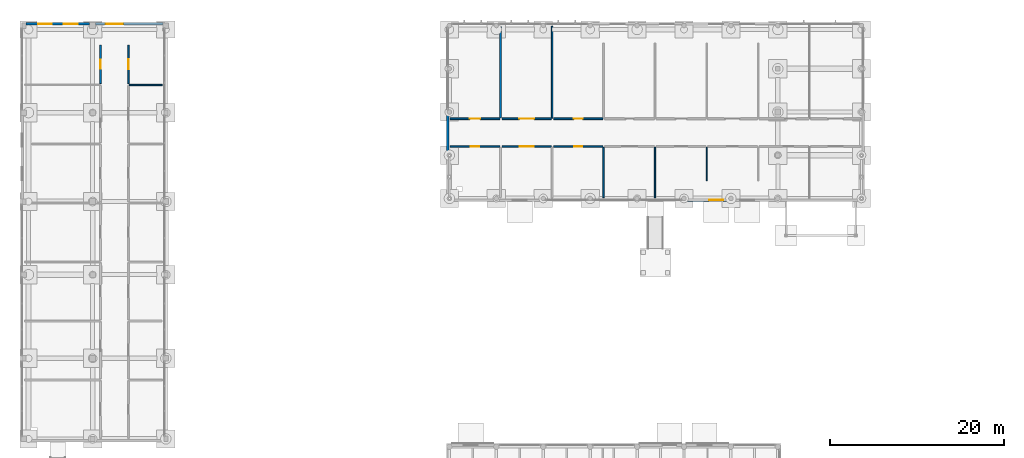
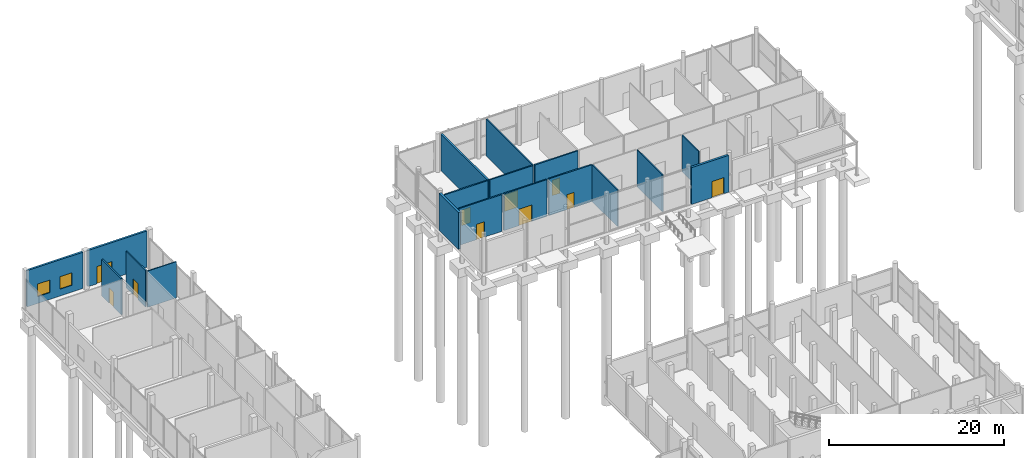
# One storey, part 64 of 88: 18 walls, 10 doors, 2 windows, 12 openings.
"""IFC4 building model written with IfcOpenShell, lengths in metres."""

import ifcopenshell
import ifcopenshell.guid

model = None  # the IFC model being written
_history = None  # IfcOwnerHistory: only IFC2X3 demands one
_inside = {}  # id of a spatial element -> (the spatial element, [elements in it])
_under = {}  # id of a project, library or spatial element -> (it, [spatial elements below it])
_declared = {}  # id of a project -> (the project, [libraries it declares])
_typed = {}  # id of a type object -> (the type object, [elements of that type])
_made_of = {}  # id of a material, layer set ... -> (it, [elements and type objects made of it])


def new_model(schema):
    """Start an empty IFC model of exactly this schema.

    Asked for "IFC4X3", IfcOpenShell would pick the latest addendum, in which some entities
    have other attributes; the version numbers below select the first issue.
    IFC2X3 requires an IfcOwnerHistory on every rooted entity: one is made here for all.
    """
    global model, _history
    if schema == "IFC4X3":
        model = ifcopenshell.file(schema_version=(4, 3, 0, 0))
    else:
        model = ifcopenshell.file(schema=schema)
    _inside.clear()
    _under.clear()
    _declared.clear()
    _typed.clear()
    _made_of.clear()
    _history = None
    if model.schema == "IFC2X3":
        org = make("IfcOrganization", Name="unknown")
        user = make(
            "IfcPersonAndOrganization",
            ThePerson=make("IfcPerson", FamilyName="unknown"),
            TheOrganization=org,
        )
        app = make(
            "IfcApplication",
            ApplicationDeveloper=org,
            Version="unknown",
            ApplicationFullName="unknown",
            ApplicationIdentifier="unknown",
        )
        _history = make(
            "IfcOwnerHistory",
            OwningUser=user,
            OwningApplication=app,
            ChangeAction="ADDED",
            CreationDate=0,
        )
    return model


def make(cls, **values):
    """One entity of the class cls with the attributes given. An attribute that is None is left unset."""
    return model.create_entity(
        cls, **{name: value for name, value in values.items() if value is not None}
    )


def rooted(cls, **values):
    """An entity with a GlobalId (a new one), such as an element, a storey or a relation."""
    return make(cls, GlobalId=ifcopenshell.guid.new(), OwnerHistory=_history, **values)


def si_unit(unit_type, name, prefix=None):
    """IfcSIUnit, for example si_unit("LENGTHUNIT", "METRE", prefix="MILLI")."""
    return make("IfcSIUnit", UnitType=unit_type, Prefix=prefix, Name=name)


def assignment(units):
    """IfcUnitAssignment: the units of a project."""
    return None if units is None else make("IfcUnitAssignment", Units=units)


def point(xyz):
    """IfcCartesianPoint."""
    return None if xyz is None else make("IfcCartesianPoint", Coordinates=xyz)


def direction(xyz):
    """IfcDirection."""
    return None if xyz is None else make("IfcDirection", DirectionRatios=xyz)


def frame(location, z_axis=None, x_axis=None):
    """IfcAxis2Placement3D, a coordinate frame: its origin and axes. An axis left out is left unset."""
    return make(
        "IfcAxis2Placement3D",
        Location=point(location),
        Axis=direction(z_axis),
        RefDirection=direction(x_axis),
    )


def frame_2d(location, x_axis=None):
    """IfcAxis2Placement2D, a coordinate frame in the plane: its origin and x axis."""
    return make(
        "IfcAxis2Placement2D", Location=point(location), RefDirection=direction(x_axis)
    )


def origin():
    """The frame at (0, 0, 0) with its axes left unset."""
    return frame((0.0, 0.0, 0.0))


def place(relative_to, where):
    """IfcLocalPlacement: puts the frame where relative to a parent placement (None: the world)."""
    return make(
        "IfcLocalPlacement", PlacementRelTo=relative_to, RelativePlacement=where
    )


def context(
    kind, dimensions, precision=None, world=None, true_north=None, identifier=None
):
    """IfcGeometricRepresentationContext, for example the 3D "Model" context."""
    return make(
        "IfcGeometricRepresentationContext",
        ContextIdentifier=identifier,
        ContextType=kind,
        CoordinateSpaceDimension=dimensions,
        Precision=precision,
        WorldCoordinateSystem=world,
        TrueNorth=true_north,
    )


def subcontext(parent, identifier, kind, view, scale=None):
    """IfcGeometricRepresentationSubContext, for example "Body" below "Model"."""
    return make(
        "IfcGeometricRepresentationSubContext",
        ContextIdentifier=identifier,
        ContextType=kind,
        ParentContext=parent,
        TargetScale=scale,
        TargetView=view,
    )


def project(units=None, contexts=None):
    """IfcProject with its units and contexts."""
    return rooted(
        "IfcProject",
        Name="project",
        RepresentationContexts=contexts,
        UnitsInContext=assignment(units),
    )


def spatial(cls, under=None, at=None, **own):
    """A site, building, storey or space (cls), placed at a placement, below another one or the project."""
    s = rooted(cls, ObjectPlacement=at, **own)
    if under is not None:
        _under.setdefault(under.id(), (under, []))[1].append(s)
    return s


def profile(cls, at=None, kind="AREA", **sizes):
    """A parametric profile (cls). Its sizes go by their IFC names, for example OverallWidth=200.0."""
    return make(cls, ProfileType=kind, Position=at, **sizes)


def rectangle(**sizes):
    """IfcRectangleProfileDef."""
    return profile("IfcRectangleProfileDef", **sizes)


def extrude(swept, where, along, depth):
    """IfcExtrudedAreaSolid: the profile swept, set in the frame where, extruded along a direction by depth."""
    return make(
        "IfcExtrudedAreaSolid",
        SweptArea=swept,
        Position=where,
        ExtrudedDirection=direction(along),
        Depth=depth,
    )


def shape(context_of_items, identifier, shape_type, items):
    """IfcShapeRepresentation: the items that make up one representation, for example the "Body"."""
    return make(
        "IfcShapeRepresentation",
        ContextOfItems=context_of_items,
        RepresentationIdentifier=identifier,
        RepresentationType=shape_type,
        Items=items,
    )


def material(Name=None, Category=None):
    """IfcMaterial."""
    return make("IfcMaterial", Name=Name, Category=Category)


def layer(
    of_material, thickness, ventilated=None, Name=None, Category=None, Priority=None
):
    """IfcMaterialLayer: one layer of a wall or slab, of a material (None: an air gap)."""
    return make(
        "IfcMaterialLayer",
        Material=of_material,
        LayerThickness=thickness,
        IsVentilated=ventilated,
        Name=Name,
        Category=Category,
        Priority=Priority,
    )


def layer_set(layers, Name=None):
    """IfcMaterialLayerSet."""
    return make("IfcMaterialLayerSet", MaterialLayers=layers, LayerSetName=Name)


def made_of(thing, what):
    """Note that an element or type object is made of a material, layer set ...; save() writes the relation."""
    if what is not None:
        _made_of.setdefault(what.id(), (what, []))[1].append(thing)
    return thing


def type_object(cls, material=None, **own):
    """A type object (cls), such as IfcWallType, which elements share."""
    return made_of(rooted(cls, **own), material)


def element(
    cls,
    number,
    at=None,
    inside=None,
    cuts=None,
    type_object=None,
    material=None,
    context=None,
    identifier="Body",
    shape_type=None,
    held_by="IfcProductDefinitionShape",
    body=None,
    shapes=None,
    **own,
):
    """One element of the class cls, such as IfcWall. Its Tag is "e" and its number.

    at: its placement. inside: the storey or other place that contains it. cuts: it is an
    opening in that element (IfcRelVoidsElement). A single representation is given by context,
    identifier, shape_type and body (its items); several are given by shapes. held_by: the class
    of the entity that holds the representations. save() writes the other relations.
    """
    e = rooted(cls, Tag="e%d" % number, ObjectPlacement=at, **own)
    if body is not None:
        shapes = [shape(context, identifier, shape_type, body)]
    if shapes is not None:
        e.Representation = make(held_by, Representations=shapes)
    if inside is not None:
        _inside.setdefault(inside.id(), (inside, []))[1].append(e)
    if cuts is not None:
        rooted(
            "IfcRelVoidsElement", RelatingBuildingElement=cuts, RelatedOpeningElement=e
        )
    if type_object is not None:
        _typed.setdefault(type_object.id(), (type_object, []))[1].append(e)
    return made_of(e, material)


def fill(opening, filler):
    """IfcRelFillsElement: the door or window that sits in an opening."""
    return rooted(
        "IfcRelFillsElement",
        RelatingOpeningElement=opening,
        RelatedBuildingElement=filler,
    )


def aggregate(whole, parts):
    """IfcRelAggregates: a whole, such as a stair, and the parts it consists of."""
    return rooted("IfcRelAggregates", RelatingObject=whole, RelatedObjects=parts)


def save(model, path):
    """Write the relations noted so far, then the file.

    IfcRelAggregates (storeys below a building ...), IfcRelContainedInSpatialStructure (elements
    in a storey), IfcRelDefinesByType, IfcRelAssociatesMaterial and IfcRelDeclares: one each for
    every whole, place, type object, material and project.
    """
    for whole, parts in _under.values():
        aggregate(whole, parts)
    for where, things in _inside.values():
        rooted(
            "IfcRelContainedInSpatialStructure",
            RelatedElements=things,
            RelatingStructure=where,
        )
    for kind, things in _typed.values():
        rooted("IfcRelDefinesByType", RelatedObjects=things, RelatingType=kind)
    for what, things in _made_of.values():
        rooted("IfcRelAssociatesMaterial", RelatedObjects=things, RelatingMaterial=what)
    for by, libraries in _declared.values():
        rooted("IfcRelDeclares", RelatingContext=by, RelatedDefinitions=libraries)
    model.write(path)


model = new_model("IFC4")

# Units and contexts
model_context = context("Model", 3, precision=1e-05, world=origin(), true_north=direction((0.0, 1.0)))
body_context = subcontext(model_context, "Body", "Model", "MODEL_VIEW")
ifc_project = project(units=[si_unit("LENGTHUNIT", "METRE"), si_unit("AREAUNIT", "SQUARE_METRE"), si_unit("VOLUMEUNIT", "CUBIC_METRE"), si_unit("PLANEANGLEUNIT", "RADIAN"), si_unit("MASSUNIT", "GRAM", prefix="KILO")], contexts=[model_context])

# Site, building, storey
site_placement = place(None, origin())
site = spatial("IfcSite", under=ifc_project, at=site_placement, CompositionType="ELEMENT")
building_placement = place(site_placement, origin())
building = spatial("IfcBuilding", under=site, at=building_placement, Name="Birchvale Park Specialist Clinic", CompositionType="ELEMENT")
storey_placement = place(building_placement, origin())
storey = spatial("IfcBuildingStorey", under=building, at=storey_placement, Name="L00", CompositionType="ELEMENT", Elevation=0.0)

# Wall, opening, door
ifc_material_1 = material(Name="Lime-white mineral-rendered insulated masonry", Category="masonry")
ifc_layer_1 = layer(ifc_material_1, 0.2900390625)
ifc_layer_set_1 = layer_set([ifc_layer_1], Name="Lime-white mineral-rendered insulated masonry")
wall_type_1 = type_object("IfcWallType", Name="WL-EW-03", PredefinedType="STANDARD", material=ifc_layer_set_1)
wall_1_placement = place(storey_placement, frame((79.33349609375, 91.364990234375, 0.0), z_axis=(0.0, 0.0, 1.0), x_axis=(1.0, 0.0, 0.0)))
wall_1 = element("IfcWall", 1, at=wall_1_placement, inside=storey, type_object=wall_type_1, Name="V3 L00 exterior facade wall 52", PredefinedType="STANDARD", context=body_context, shape_type="SweptSolid", body=[
    extrude(rectangle(XDim=4.875732421875, YDim=0.2900390625, at=frame_2d((2.43798828125, 0.0))), origin(), (0.0, 0.0, 1.0), 5.125),
])
opening_1_placement = place(wall_1_placement, frame((2.6435546875, 0.0, 0.0)))
opening_1 = element("IfcOpeningElement", 2, at=opening_1_placement, cuts=wall_1, Name="Opening ED-04", PredefinedType="OPENING", context=body_context, shape_type="SweptSolid", body=[
    extrude(rectangle(XDim=1.60009765625, YDim=2.25, at=frame_2d((0.800048828125, 1.125))), frame((0.0, 0.155029296875, 0.0), z_axis=(0.0, -1.0, 0.0), x_axis=(1.0, 0.0, 0.0)), (0.0, 0.0, 1.0), 0.31005859375),
])
ifc_material_2 = material(Name="Powder-coated aluminium and laminated safety glass", Category="aluminium")
door_type_1 = type_object("IfcDoorType", Name="DR-ED-04", OperationType="DOUBLE_DOOR_SINGLE_SWING", PredefinedType="DOOR", material=ifc_material_2)
door_1_placement = place(opening_1_placement, frame((1.60009765625, 0.0, 0.0), z_axis=(0.0, 0.0, 1.0), x_axis=(-1.0, 0.0, 0.0)))
door_1 = element("IfcDoor", 3, at=door_1_placement, inside=storey, type_object=door_type_1, Name="L00 V3 final exit double door 15", OperationType="DOUBLE_DOOR_SINGLE_SWING", OverallHeight=2.25, OverallWidth=1.60009765625, PredefinedType="DOOR", context=body_context, shape_type="SweptSolid", body=[
    extrude(rectangle(XDim=1.60009765625, YDim=2.25, at=frame_2d((0.800048828125, 1.125))), frame((0.0, 0.02490234375, 0.0), z_axis=(0.0, -1.0, 0.0), x_axis=(1.0, 0.0, 0.0)), (0.0, 0.0, 1.0), 0.050048828125),
])
fill(opening_1, door_1)

# Wall
wall_2_placement = place(storey_placement, frame((51.965087890625, 101.219970703125, 0.0), z_axis=(0.0, 0.0, 1.0), x_axis=(0.0, -1.0, 0.0)))
element("IfcWall", 4, at=wall_2_placement, inside=storey, type_object=wall_type_1, Name="V3 L00 exterior facade wall 61", PredefinedType="STANDARD", context=body_context, shape_type="SweptSolid", body=[
    extrude(rectangle(XDim=4.452392578125, YDim=0.2900390625, at=frame_2d((2.22607421875, 0.0))), origin(), (0.0, 0.0, 1.0), 5.125),
])

# Wall, opening, door
ifc_layer_2 = layer(ifc_material_1, 0.27001953125)
ifc_layer_set_2 = layer_set([ifc_layer_2], Name="Lime-white mineral-rendered insulated masonry")
wall_type_2 = type_object("IfcWallType", Name="WL-EW-04", PredefinedType="STANDARD", material=ifc_layer_set_2)
wall_3_placement = place(storey_placement, frame((19.2900390625, 111.594970703125, 0.0), z_axis=(0.0, 0.0, 1.0), x_axis=(-1.0, 0.0, 0.0)))
wall_3 = element("IfcWall", 5, at=wall_3_placement, inside=storey, type_object=wall_type_2, Name="V2 L00 exterior facade wall 47", PredefinedType="STANDARD", context=body_context, shape_type="SweptSolid", body=[
    extrude(rectangle(XDim=7.755126953125, YDim=0.27001953125, at=frame_2d((3.87744140625, 0.0))), origin(), (0.0, 0.0, 1.0), 5.050048828125),
])
opening_2_placement = place(wall_3_placement, frame((4.590087890625, 0.0, 0.0)))
opening_2 = element("IfcOpeningElement", 6, at=opening_2_placement, cuts=wall_3, Name="Opening ED-02", PredefinedType="OPENING", context=body_context, shape_type="SweptSolid", body=[
    extrude(rectangle(XDim=2.0, YDim=2.39990234375, at=frame_2d((1.0, 1.199951171875))), frame((0.0, 0.14501953125, 0.0), z_axis=(0.0, -1.0, 0.0), x_axis=(1.0, 0.0, 0.0)), (0.0, 0.0, 1.0), 0.2900390625),
])
door_type_2 = type_object("IfcDoorType", Name="DR-ED-02", OperationType="DOUBLE_DOOR_SINGLE_SWING", PredefinedType="DOOR", material=ifc_material_2)
door_2_placement = place(opening_2_placement, frame((2.0, 0.0, 0.0), z_axis=(0.0, 0.0, 1.0), x_axis=(-1.0, 0.0, 0.0)))
door_2 = element("IfcDoor", 7, at=door_2_placement, inside=storey, type_object=door_type_2, Name="L00 V2 final exit double door 13", OperationType="DOUBLE_DOOR_SINGLE_SWING", OverallHeight=2.39990234375, OverallWidth=2.0, PredefinedType="DOOR", context=body_context, shape_type="SweptSolid", body=[
    extrude(rectangle(XDim=2.0, YDim=2.39990234375, at=frame_2d((1.0, 1.199951171875))), frame((0.0, 0.02490234375, 0.0), z_axis=(0.0, -1.0, 0.0), x_axis=(1.0, 0.0, 0.0)), (0.0, 0.0, 1.0), 0.050048828125),
])
fill(opening_2, door_2)

# Wall, openings, windows
wall_4_placement = place(storey_placement, frame((10.864990234375, 111.594970703125, 0.0), z_axis=(0.0, 0.0, 1.0), x_axis=(-1.0, 0.0, 0.0)))
wall_4 = element("IfcWall", 8, at=wall_4_placement, inside=storey, type_object=wall_type_2, Name="V2 L00 exterior facade wall 48", PredefinedType="STANDARD", context=body_context, shape_type="SweptSolid", body=[
    extrude(rectangle(XDim=7.3349609375, YDim=0.27001953125, at=frame_2d((3.66748046875, 0.0))), origin(), (0.0, 0.0, 1.0), 5.050048828125),
])
opening_3_placement = place(wall_4_placement, frame((1.400390625, 0.0, 0.949951171875)))
opening_3 = element("IfcOpeningElement", 9, at=opening_3_placement, cuts=wall_4, Name="Opening W-CL04", PredefinedType="OPENING", context=body_context, shape_type="SweptSolid", body=[
    extrude(rectangle(XDim=1.60009765625, YDim=1.75, at=frame_2d((0.800048828125, 0.875))), frame((0.0, 0.14501953125, 0.0), z_axis=(0.0, -1.0, 0.0), x_axis=(1.0, 0.0, 0.0)), (0.0, 0.0, 1.0), 0.2900390625),
])
opening_4_placement = place(wall_4_placement, frame((4.33447265625, 0.0, 0.949951171875)))
opening_4 = element("IfcOpeningElement", 10, at=opening_4_placement, cuts=wall_4, Name="Opening W-CL04", PredefinedType="OPENING", context=body_context, shape_type="SweptSolid", body=[
    extrude(rectangle(XDim=1.60009765625, YDim=1.75, at=frame_2d((0.800048828125, 0.875))), frame((0.0, 0.14501953125, 0.0), z_axis=(0.0, -1.0, 0.0), x_axis=(1.0, 0.0, 0.0)), (0.0, 0.0, 1.0), 0.2900390625),
])
ifc_material_3 = material(Name="Solar-control low-E double glazing", Category="glass")
window_type = type_object("IfcWindowType", Name="WIN-W-CL04", PartitioningType="SINGLE_PANEL", PredefinedType="WINDOW", material=ifc_material_3)
window_1_placement = place(opening_3_placement, origin())
window_1 = element("IfcWindow", 11, at=window_1_placement, inside=storey, type_object=window_type, Name="V2 L00 cased window 1", OverallHeight=1.75, OverallWidth=1.60009765625, PartitioningType="SINGLE_PANEL", PredefinedType="WINDOW", context=body_context, shape_type="SweptSolid", body=[
    extrude(rectangle(XDim=1.60009765625, YDim=1.75, at=frame_2d((0.800048828125, 0.875))), frame((0.0, 0.030029296875, 0.0), z_axis=(0.0, -1.0, 0.0), x_axis=(1.0, 0.0, 0.0)), (0.0, 0.0, 1.0), 0.06005859375),
])
fill(opening_3, window_1)
window_2_placement = place(opening_4_placement, origin())
window_2 = element("IfcWindow", 12, at=window_2_placement, inside=storey, type_object=window_type, Name="V2 L00 cased window 2", OverallHeight=1.75, OverallWidth=1.60009765625, PartitioningType="SINGLE_PANEL", PredefinedType="WINDOW", context=body_context, shape_type="SweptSolid", body=[
    extrude(rectangle(XDim=1.60009765625, YDim=1.75, at=frame_2d((0.800048828125, 0.875))), frame((0.0, 0.030029296875, 0.0), z_axis=(0.0, -1.0, 0.0), x_axis=(1.0, 0.0, 0.0)), (0.0, 0.0, 1.0), 0.06005859375),
])
fill(opening_4, window_2)

# Walls
ifc_material_4 = material(Name="Acoustic gypsum board on metal framing")
ifc_layer_3 = layer(ifc_material_4, 0.1650390625)
ifc_layer_set_3 = layer_set([ifc_layer_3], Name="Acoustic gypsum board on metal framing")
wall_type_3 = type_object("IfcWallType", Name="WL-IW-01", PredefinedType="PARTITIONING", material=ifc_layer_set_3)
wall_5_placement = place(storey_placement, frame((63.93994140625, 111.31005859375, 0.0), z_axis=(0.0, 0.0, 1.0), x_axis=(0.0, -1.0, 0.0)))
element("IfcWall", 13, at=wall_5_placement, inside=storey, type_object=wall_type_3, Name="V3 L00 clinical partition 162", PredefinedType="PARTITIONING", context=body_context, shape_type="SweptSolid", body=[
    extrude(rectangle(XDim=10.530029296875, YDim=0.1650390625, at=frame_2d((5.26513671875, 0.0))), origin(), (0.0, 0.0, 1.0), 5.125),
])
ifc_layer_4 = layer(ifc_material_4, 0.14990234375)
ifc_layer_set_4 = layer_set([ifc_layer_4], Name="Acoustic gypsum board on metal framing")
wall_type_4 = type_object("IfcWallType", Name="WL-IW-02", PredefinedType="PARTITIONING", material=ifc_layer_set_4)
wall_6_placement = place(storey_placement, frame((69.85009765625, 97.419921875, 0.0), z_axis=(0.0, 0.0, 1.0), x_axis=(0.0, -1.0, 0.0)))
element("IfcWall", 14, at=wall_6_placement, inside=storey, type_object=wall_type_4, Name="V3 L00 clinical partition 149", PredefinedType="PARTITIONING", context=body_context, shape_type="SweptSolid", body=[
    extrude(rectangle(XDim=5.780029296875, YDim=0.14990234375, at=frame_2d((2.89013671875, 0.0))), origin(), (0.0, 0.0, 1.0), 5.125),
])
ifc_layer_5 = layer(ifc_material_4, 0.139892578125)
ifc_layer_set_5 = layer_set([ifc_layer_5], Name="Acoustic gypsum board on metal framing")
wall_type_5 = type_object("IfcWallType", Name="WL-IW-03", PredefinedType="PARTITIONING", material=ifc_layer_set_5)
wall_7_placement = place(storey_placement, frame((75.760009765625, 97.419921875, 0.0), z_axis=(0.0, 0.0, 1.0), x_axis=(0.0, -1.0, 0.0)))
element("IfcWall", 15, at=wall_7_placement, inside=storey, type_object=wall_type_5, Name="V3 L00 clinical partition 151", PredefinedType="PARTITIONING", context=body_context, shape_type="SweptSolid", body=[
    extrude(rectangle(XDim=5.780029296875, YDim=0.139892578125, at=frame_2d((2.89013671875, 0.0))), origin(), (0.0, 0.0, 1.0), 5.125),
])
ifc_layer_6 = layer(ifc_material_4, 0.125)
ifc_layer_set_6 = layer_set([ifc_layer_6], Name="Acoustic gypsum board on metal framing")
wall_type_6 = type_object("IfcWallType", Name="WL-IW-04", PredefinedType="PARTITIONING", material=ifc_layer_set_6)
wall_8_placement = place(storey_placement, frame((15.3798828125, 104.57421875, 0.0), z_axis=(0.0, 0.0, 1.0), x_axis=(1.0, 0.0, 0.0)))
element("IfcWall", 16, at=wall_8_placement, inside=storey, type_object=wall_type_6, Name="V2 L00 clinical partition 142", PredefinedType="PARTITIONING", context=body_context, shape_type="SweptSolid", body=[
    extrude(rectangle(XDim=3.780029296875, YDim=0.125, at=frame_2d((1.89013671875, 0.0))), origin(), (0.0, 0.0, 1.0), 5.050048828125),
])
wall_9_placement = place(storey_placement, frame((81.669921875, 97.419921875, 0.0), z_axis=(0.0, 0.0, 1.0), x_axis=(0.0, -1.0, 0.0)))
element("IfcWall", 17, at=wall_9_placement, inside=storey, type_object=wall_type_6, Name="V3 L00 clinical partition 153", PredefinedType="PARTITIONING", context=body_context, shape_type="SweptSolid", body=[
    extrude(rectangle(XDim=3.824951171875, YDim=0.125, at=frame_2d((1.91259765625, 0.0))), origin(), (0.0, 0.0, 1.0), 5.125),
])
ifc_layer_7 = layer(ifc_material_4, 0.239990234375)
ifc_layer_set_7 = layer_set([ifc_layer_7], Name="Acoustic gypsum board on metal framing")
wall_type_7 = type_object("IfcWallType", Name="WL-IW-08", PredefinedType="PARTITIONING", material=ifc_layer_set_7)
wall_10_placement = place(storey_placement, frame((58.030029296875, 111.31005859375, 0.0), z_axis=(0.0, 0.0, 1.0), x_axis=(0.0, -1.0, 0.0)))
element("IfcWall", 18, at=wall_10_placement, inside=storey, type_object=wall_type_7, Name="V3 L00 clinical partition 160", PredefinedType="PARTITIONING", context=body_context, shape_type="SweptSolid", body=[
    extrude(rectangle(XDim=10.530029296875, YDim=0.239990234375, at=frame_2d((5.26513671875, 0.0))), origin(), (0.0, 0.0, 1.0), 5.125),
])

# Wall, opening, door
ifc_layer_8 = layer(ifc_material_4, 0.179931640625)
ifc_layer_set_8 = layer_set([ifc_layer_8], Name="Acoustic gypsum board on metal framing")
wall_type_8 = type_object("IfcWallType", Name="WL-IW-60", PredefinedType="PARTITIONING", material=ifc_layer_set_8)
wall_11_placement = place(storey_placement, frame((12.10009765625, 109.1650390625, 0.0), z_axis=(0.0, 0.0, 1.0), x_axis=(0.0, -1.0, 0.0)))
wall_11 = element("IfcWall", 19, at=wall_11_placement, inside=storey, type_object=wall_type_8, Name="V2 L00 clinical partition 130", PredefinedType="PARTITIONING", context=body_context, shape_type="SweptSolid", body=[
    extrude(rectangle(XDim=4.4306640625, YDim=0.179931640625, at=frame_2d((2.21533203125, 0.0))), origin(), (0.0, 0.0, 1.0), 5.050048828125),
])
opening_5_placement = place(wall_11_placement, frame((1.6953125, 0.0, 0.0)))
opening_5 = element("IfcOpeningElement", 20, at=opening_5_placement, cuts=wall_11, Name="Opening ID-02", PredefinedType="OPENING", context=body_context, shape_type="SweptSolid", body=[
    extrude(rectangle(XDim=1.0400390625, YDim=2.14990234375, at=frame_2d((0.52001953125, 1.074951171875))), frame((0.0, 0.10009765625, 0.0), z_axis=(0.0, -1.0, 0.0), x_axis=(1.0, 0.0, 0.0)), (0.0, 0.0, 1.0), 0.199951171875),
])
ifc_material_5 = material(Name="Solid-core birch veneer and anodised aluminium", Category="aluminium")
door_type_3 = type_object("IfcDoorType", Name="DR-ID-02", OperationType="NOTDEFINED", PredefinedType="DOOR", material=ifc_material_5)
door_3_placement = place(opening_5_placement, origin())
door_3 = element("IfcDoor", 21, at=door_3_placement, inside=storey, type_object=door_type_3, Name="L00 Outpatient Rehabilitation Clinic door", OperationType="SINGLE_SWING_RIGHT", OverallHeight=2.14990234375, OverallWidth=1.0400390625, PredefinedType="DOOR", context=body_context, shape_type="SweptSolid", body=[
    extrude(rectangle(XDim=1.0400390625, YDim=2.14990234375, at=frame_2d((0.52001953125, 1.074951171875))), frame((0.0, 0.02490234375, 0.0), z_axis=(0.0, -1.0, 0.0), x_axis=(1.0, 0.0, 0.0)), (0.0, 0.0, 1.0), 0.050048828125),
])
fill(opening_5, door_3)

wall_12_placement = place(storey_placement, frame((15.300048828125, 104.734375, 0.0), z_axis=(0.0, 0.0, 1.0), x_axis=(0.0, 1.0, 0.0)))
wall_12 = element("IfcWall", 22, at=wall_12_placement, inside=storey, type_object=wall_type_8, Name="V2 L00 clinical partition 143", PredefinedType="PARTITIONING", context=body_context, shape_type="SweptSolid", body=[
    extrude(rectangle(XDim=4.4306640625, YDim=0.179931640625, at=frame_2d((2.21533203125, 0.0))), origin(), (0.0, 0.0, 1.0), 5.050048828125),
])
opening_6_placement = place(wall_12_placement, frame((1.62548828125, 0.0, 0.0)))
opening_6 = element("IfcOpeningElement", 23, at=opening_6_placement, cuts=wall_12, Name="Opening ID-ST60", PredefinedType="OPENING", context=body_context, shape_type="SweptSolid", body=[
    extrude(rectangle(XDim=1.179931640625, YDim=2.179931640625, at=frame_2d((0.58984375, 1.08984375))), frame((0.0, 0.10009765625, 0.0), z_axis=(0.0, -1.0, 0.0), x_axis=(1.0, 0.0, 0.0)), (0.0, 0.0, 1.0), 0.199951171875),
])
door_type_4 = type_object("IfcDoorType", Name="DR-ID-ST60", OperationType="NOTDEFINED", PredefinedType="DOOR", material=ifc_material_5)
door_4_placement = place(opening_6_placement, origin())
door_4 = element("IfcDoor", 24, at=door_4_placement, inside=storey, type_object=door_type_4, Name="L00 Neurology Examination Clinic door", OperationType="SINGLE_SWING_LEFT", OverallHeight=2.179931640625, OverallWidth=1.179931640625, PredefinedType="DOOR", context=body_context, shape_type="SweptSolid", body=[
    extrude(rectangle(XDim=1.179931640625, YDim=2.179931640625, at=frame_2d((0.58984375, 1.08984375))), frame((0.0, 0.02490234375, 0.0), z_axis=(0.0, -1.0, 0.0), x_axis=(1.0, 0.0, 0.0)), (0.0, 0.0, 1.0), 0.050048828125),
])
fill(opening_6, door_4)

wall_13_placement = place(storey_placement, frame((52.239990234375, 97.5, 0.0), z_axis=(0.0, 0.0, 1.0), x_axis=(1.0, 0.0, 0.0)))
wall_13 = element("IfcWall", 25, at=wall_13_placement, inside=storey, type_object=wall_type_8, Name="V3 L00 clinical partition 144", PredefinedType="PARTITIONING", context=body_context, shape_type="SweptSolid", body=[
    extrude(rectangle(XDim=5.7099609375, YDim=0.179931640625, at=frame_2d((2.85498046875, 0.0))), origin(), (0.0, 0.0, 1.0), 5.125),
])
opening_7_placement = place(wall_13_placement, frame((2.35498046875, 0.0, 0.0)))
opening_7 = element("IfcOpeningElement", 26, at=opening_7_placement, cuts=wall_13, Name="Opening ID-01", PredefinedType="OPENING", context=body_context, shape_type="SweptSolid", body=[
    extrude(rectangle(XDim=1.0, YDim=2.14990234375, at=frame_2d((0.5, 1.074951171875))), frame((0.0, 0.10009765625, 0.0), z_axis=(0.0, -1.0, 0.0), x_axis=(1.0, 0.0, 0.0)), (0.0, 0.0, 1.0), 0.199951171875),
])
door_type_5 = type_object("IfcDoorType", Name="DR-ID-01", OperationType="NOTDEFINED", PredefinedType="DOOR", material=ifc_material_5)
door_5_placement = place(opening_7_placement, origin())
door_5 = element("IfcDoor", 27, at=door_5_placement, inside=storey, type_object=door_type_5, Name="L00 Botanical Therapy Pavilion door", OperationType="SINGLE_SWING_RIGHT", OverallHeight=2.14990234375, OverallWidth=1.0, PredefinedType="DOOR", context=body_context, shape_type="SweptSolid", body=[
    extrude(rectangle(XDim=1.0, YDim=2.14990234375, at=frame_2d((0.5, 1.074951171875))), frame((0.0, 0.02490234375, 0.0), z_axis=(0.0, -1.0, 0.0), x_axis=(1.0, 0.0, 0.0)), (0.0, 0.0, 1.0), 0.050048828125),
])
fill(opening_7, door_5)

wall_14_placement = place(storey_placement, frame((58.18994140625, 97.5, 0.0), z_axis=(0.0, 0.0, 1.0), x_axis=(1.0, 0.0, 0.0)))
wall_14 = element("IfcWall", 28, at=wall_14_placement, inside=storey, type_object=wall_type_8, Name="V3 L00 clinical partition 146", PredefinedType="PARTITIONING", context=body_context, shape_type="SweptSolid", body=[
    extrude(rectangle(XDim=5.670166015625, YDim=0.179931640625, at=frame_2d((2.8349609375, 0.0))), origin(), (0.0, 0.0, 1.0), 5.125),
])
opening_8_placement = place(wall_14_placement, frame((2.010009765625, 0.0, 0.0)))
opening_8 = element("IfcOpeningElement", 29, at=opening_8_placement, cuts=wall_14, Name="Opening ID-08", PredefinedType="OPENING", context=body_context, shape_type="SweptSolid", body=[
    extrude(rectangle(XDim=1.64990234375, YDim=2.300048828125, at=frame_2d((0.824951171875, 1.14990234375))), frame((0.0, 0.10009765625, 0.0), z_axis=(0.0, -1.0, 0.0), x_axis=(1.0, 0.0, 0.0)), (0.0, 0.0, 1.0), 0.199951171875),
])
door_type_6 = type_object("IfcDoorType", Name="DR-ID-08", OperationType="DOUBLE_DOOR_SINGLE_SWING", PredefinedType="DOOR", material=ifc_material_5)
door_6_placement = place(opening_8_placement, origin())
door_6 = element("IfcDoor", 30, at=door_6_placement, inside=storey, type_object=door_type_6, Name="L00 Winter Conservatory Hall door", OperationType="DOUBLE_DOOR_SINGLE_SWING", OverallHeight=2.300048828125, OverallWidth=1.64990234375, PredefinedType="DOOR", context=body_context, shape_type="SweptSolid", body=[
    extrude(rectangle(XDim=1.64990234375, YDim=2.300048828125, at=frame_2d((0.824951171875, 1.14990234375))), frame((0.0, 0.02490234375, 0.0), z_axis=(0.0, -1.0, 0.0), x_axis=(1.0, 0.0, 0.0)), (0.0, 0.0, 1.0), 0.050048828125),
])
fill(opening_8, door_6)

wall_15_placement = place(storey_placement, frame((64.10009765625, 97.5, 0.0), z_axis=(0.0, 0.0, 1.0), x_axis=(1.0, 0.0, 0.0)))
wall_15 = element("IfcWall", 31, at=wall_15_placement, inside=storey, type_object=wall_type_8, Name="V3 L00 clinical partition 148", PredefinedType="PARTITIONING", context=body_context, shape_type="SweptSolid", body=[
    extrude(rectangle(XDim=5.669921875, YDim=0.179931640625, at=frame_2d((2.8349609375, 0.0))), origin(), (0.0, 0.0, 1.0), 5.125),
])
opening_9_placement = place(wall_15_placement, frame((2.35498046875, 0.0, 0.0)))
opening_9 = element("IfcOpeningElement", 32, at=opening_9_placement, cuts=wall_15, Name="Opening ID-04", PredefinedType="OPENING", context=body_context, shape_type="SweptSolid", body=[
    extrude(rectangle(XDim=0.9599609375, YDim=2.10009765625, at=frame_2d((0.47998046875, 1.050048828125))), frame((0.0, 0.10009765625, 0.0), z_axis=(0.0, -1.0, 0.0), x_axis=(1.0, 0.0, 0.0)), (0.0, 0.0, 1.0), 0.199951171875),
])
door_type_7 = type_object("IfcDoorType", Name="DR-ID-04", OperationType="NOTDEFINED", PredefinedType="DOOR", material=ifc_material_5)
door_7_placement = place(opening_9_placement, origin())
door_7 = element("IfcDoor", 33, at=door_7_placement, inside=storey, type_object=door_type_7, Name="L00 Horticultural Rehabilitation Studio door", OperationType="SINGLE_SWING_LEFT", OverallHeight=2.10009765625, OverallWidth=0.9599609375, PredefinedType="DOOR", context=body_context, shape_type="SweptSolid", body=[
    extrude(rectangle(XDim=0.9599609375, YDim=2.10009765625, at=frame_2d((0.47998046875, 1.050048828125))), frame((0.0, 0.02490234375, 0.0), z_axis=(0.0, -1.0, 0.0), x_axis=(1.0, 0.0, 0.0)), (0.0, 0.0, 1.0), 0.050048828125),
])
fill(opening_9, door_7)

wall_16_placement = place(storey_placement, frame((57.949951171875, 100.699951171875, 0.0), z_axis=(0.0, 0.0, 1.0), x_axis=(-1.0, 0.0, 0.0)))
wall_16 = element("IfcWall", 34, at=wall_16_placement, inside=storey, type_object=wall_type_8, Name="V3 L00 clinical partition 159", PredefinedType="PARTITIONING", context=body_context, shape_type="SweptSolid", body=[
    extrude(rectangle(XDim=5.7099609375, YDim=0.179931640625, at=frame_2d((2.85498046875, 0.0))), origin(), (0.0, 0.0, 1.0), 5.125),
])
opening_10_placement = place(wall_16_placement, frame((2.264892578125, 0.0, 0.0)))
opening_10 = element("IfcOpeningElement", 35, at=opening_10_placement, cuts=wall_16, Name="Opening ID-ST60", PredefinedType="OPENING", context=body_context, shape_type="SweptSolid", body=[
    extrude(rectangle(XDim=1.179931640625, YDim=2.179931640625, at=frame_2d((0.58984375, 1.08984375))), frame((0.0, 0.10009765625, 0.0), z_axis=(0.0, -1.0, 0.0), x_axis=(1.0, 0.0, 0.0)), (0.0, 0.0, 1.0), 0.199951171875),
])
door_8_placement = place(opening_10_placement, origin())
door_8 = element("IfcDoor", 36, at=door_8_placement, inside=storey, type_object=door_type_4, Name="L00 Horticultural Rehabilitation Studio door", OperationType="SINGLE_SWING_LEFT", OverallHeight=2.179931640625, OverallWidth=1.179931640625, PredefinedType="DOOR", context=body_context, shape_type="SweptSolid", body=[
    extrude(rectangle(XDim=1.179931640625, YDim=2.179931640625, at=frame_2d((0.58984375, 1.08984375))), frame((0.0, 0.02490234375, 0.0), z_axis=(0.0, -1.0, 0.0), x_axis=(1.0, 0.0, 0.0)), (0.0, 0.0, 1.0), 0.050048828125),
])
fill(opening_10, door_8)

wall_17_placement = place(storey_placement, frame((63.860107421875, 100.699951171875, 0.0), z_axis=(0.0, 0.0, 1.0), x_axis=(-1.0, 0.0, 0.0)))
wall_17 = element("IfcWall", 37, at=wall_17_placement, inside=storey, type_object=wall_type_8, Name="V3 L00 clinical partition 161", PredefinedType="PARTITIONING", context=body_context, shape_type="SweptSolid", body=[
    extrude(rectangle(XDim=5.670166015625, YDim=0.179931640625, at=frame_2d((2.8349609375, 0.0))), origin(), (0.0, 0.0, 1.0), 5.125),
])
opening_11_placement = place(wall_17_placement, frame((1.9599609375, 0.0, 0.0)))
opening_11 = element("IfcOpeningElement", 38, at=opening_11_placement, cuts=wall_17, Name="Opening ID-09", PredefinedType="OPENING", context=body_context, shape_type="SweptSolid", body=[
    extrude(rectangle(XDim=1.75, YDim=2.35009765625, at=frame_2d((0.875, 1.175048828125))), frame((0.0, 0.10009765625, 0.0), z_axis=(0.0, -1.0, 0.0), x_axis=(1.0, 0.0, 0.0)), (0.0, 0.0, 1.0), 0.199951171875),
])
door_type_8 = type_object("IfcDoorType", Name="DR-ID-09", OperationType="DOUBLE_DOOR_SINGLE_SWING", PredefinedType="DOOR", material=ifc_material_5)
door_9_placement = place(opening_11_placement, origin())
door_9 = element("IfcDoor", 39, at=door_9_placement, inside=storey, type_object=door_type_8, Name="L00 Community Health Room door", OperationType="DOUBLE_DOOR_SINGLE_SWING", OverallHeight=2.35009765625, OverallWidth=1.75, PredefinedType="DOOR", context=body_context, shape_type="SweptSolid", body=[
    extrude(rectangle(XDim=1.75, YDim=2.35009765625, at=frame_2d((0.875, 1.175048828125))), frame((0.0, 0.02490234375, 0.0), z_axis=(0.0, -1.0, 0.0), x_axis=(1.0, 0.0, 0.0)), (0.0, 0.0, 1.0), 0.050048828125),
])
fill(opening_11, door_9)

wall_18_placement = place(storey_placement, frame((69.77001953125, 100.699951171875, 0.0), z_axis=(0.0, 0.0, 1.0), x_axis=(-1.0, 0.0, 0.0)))
wall_18 = element("IfcWall", 40, at=wall_18_placement, inside=storey, type_object=wall_type_8, Name="V3 L00 clinical partition 163", PredefinedType="PARTITIONING", context=body_context, shape_type="SweptSolid", body=[
    extrude(rectangle(XDim=5.669921875, YDim=0.179931640625, at=frame_2d((2.8349609375, 0.0))), origin(), (0.0, 0.0, 1.0), 5.125),
])
opening_12_placement = place(wall_18_placement, frame((2.31494140625, 0.0, 0.0)))
opening_12 = element("IfcOpeningElement", 41, at=opening_12_placement, cuts=wall_18, Name="Opening ID-02", PredefinedType="OPENING", context=body_context, shape_type="SweptSolid", body=[
    extrude(rectangle(XDim=1.0400390625, YDim=2.14990234375, at=frame_2d((0.52001953125, 1.074951171875))), frame((0.0, 0.10009765625, 0.0), z_axis=(0.0, -1.0, 0.0), x_axis=(1.0, 0.0, 0.0)), (0.0, 0.0, 1.0), 0.199951171875),
])
door_10_placement = place(opening_12_placement, origin())
door_10 = element("IfcDoor", 42, at=door_10_placement, inside=storey, type_object=door_type_3, Name="L00 Patient Education Lounge door", OperationType="SINGLE_SWING_RIGHT", OverallHeight=2.14990234375, OverallWidth=1.0400390625, PredefinedType="DOOR", context=body_context, shape_type="SweptSolid", body=[
    extrude(rectangle(XDim=1.0400390625, YDim=2.14990234375, at=frame_2d((0.52001953125, 1.074951171875))), frame((0.0, 0.02490234375, 0.0), z_axis=(0.0, -1.0, 0.0), x_axis=(1.0, 0.0, 0.0)), (0.0, 0.0, 1.0), 0.050048828125),
])
fill(opening_12, door_10)

save(model, "model.ifc")
